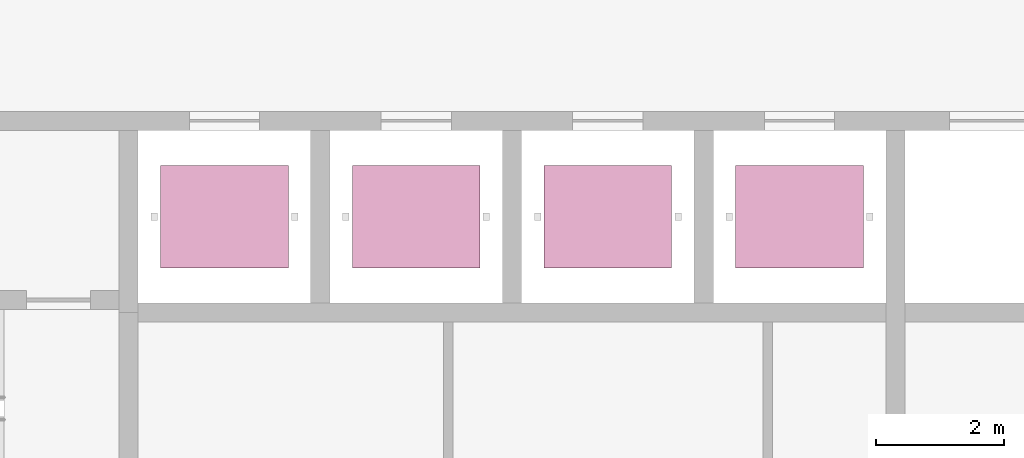
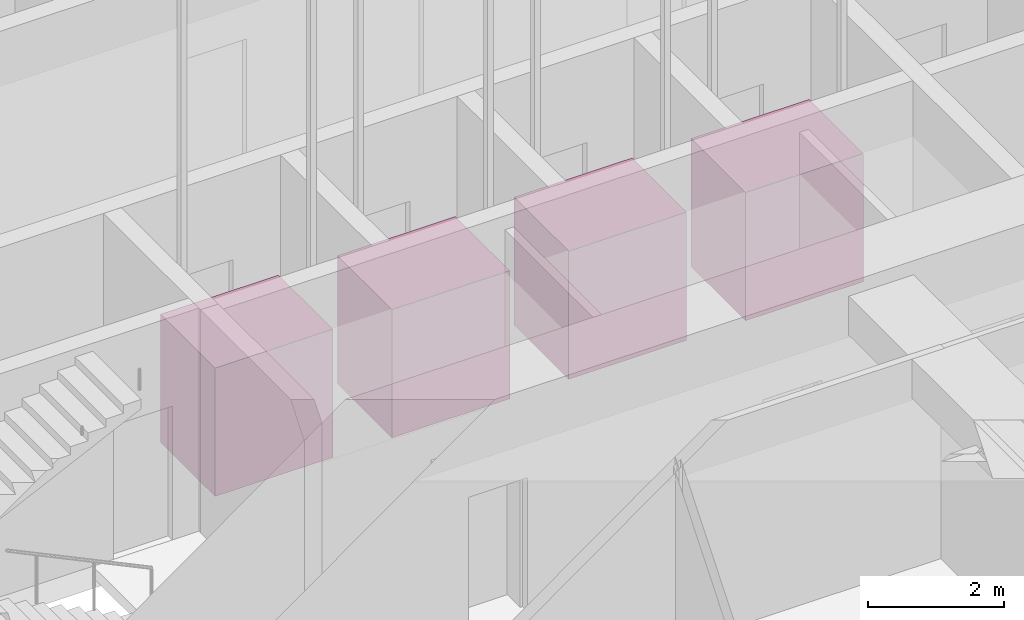
# One storey, part 42 of 50: 4 transport elements.
"""IFC4 building model written with IfcOpenShell, lengths in metres."""

from ifc_helpers import new_model, si_unit, direction, frame, origin, origin_2d, place, context, subcontext, project, spatial, rectangle, extrude, material, type_object, element, save


model = new_model("IFC4")

# Units and contexts
model_context = context("Model", 3, precision=1e-05, world=origin(), true_north=direction((0.0, 1.0)))
body_context = subcontext(model_context, "Body", "Model", "MODEL_VIEW")
ifc_project = project(units=[si_unit("LENGTHUNIT", "METRE"), si_unit("AREAUNIT", "SQUARE_METRE"), si_unit("VOLUMEUNIT", "CUBIC_METRE"), si_unit("PLANEANGLEUNIT", "RADIAN"), si_unit("MASSUNIT", "GRAM", prefix="KILO")], contexts=[model_context])

# Site, building, storey
site_placement = place(None, origin())
site = spatial("IfcSite", under=ifc_project, at=site_placement, CompositionType="ELEMENT")
building_placement = place(site_placement, origin())
building = spatial("IfcBuilding", under=site, at=building_placement, Name="Zorevar Civic Tower", CompositionType="ELEMENT")
storey_placement = place(building_placement, frame((0.0, 0.0, 85.0)))
storey = spatial("IfcBuildingStorey", under=building, at=storey_placement, Name="L20", CompositionType="ELEMENT", Elevation=85.0)

# Transport elements
ifc_material = material(Name="Lift car")
transport_element_type = type_object("IfcTransportElementType", Name="Passenger lift 2000x1600", PredefinedType="ELEVATOR", material=ifc_material)
for number, where, z_axis, x_axis, name in (
    (1, (28.5, 23.10009765625, 0.0), (0.0, 0.0, 1.0), (1.0, 0.0, 0.0), "Passenger lift LT1"),
    (2, (31.5, 23.10009765625, 0.0), (0.0, 0.0, 1.0), (1.0, 0.0, 0.0), "Passenger lift LT2"),
    (3, (34.5, 23.10009765625, 0.0), (0.0, 0.0, 1.0), (1.0, 0.0, 0.0), "Passenger lift LT3"),
    (4, (37.5, 23.10009765625, 0.0), (0.0, 0.0, 1.0), (1.0, 0.0, 0.0), "Passenger lift LT4"),
):
    element("IfcTransportElement", number, at=place(storey_placement, frame(where, z_axis=z_axis, x_axis=x_axis)), inside=storey, type_object=transport_element_type, Name=name, PredefinedType="ELEVATOR", context=body_context, shape_type="SweptSolid", body=[
        extrude(rectangle(XDim=2.0, YDim=1.60009765625, at=origin_2d()), origin(), (0.0, 0.0, 1.0), 2.300048828125),
    ])

save(model, "model.ifc")
